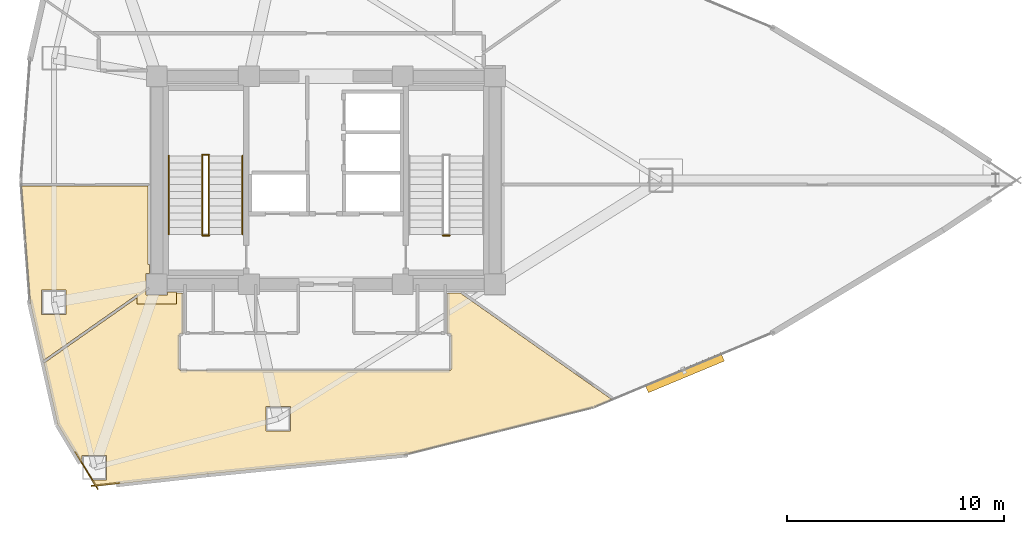
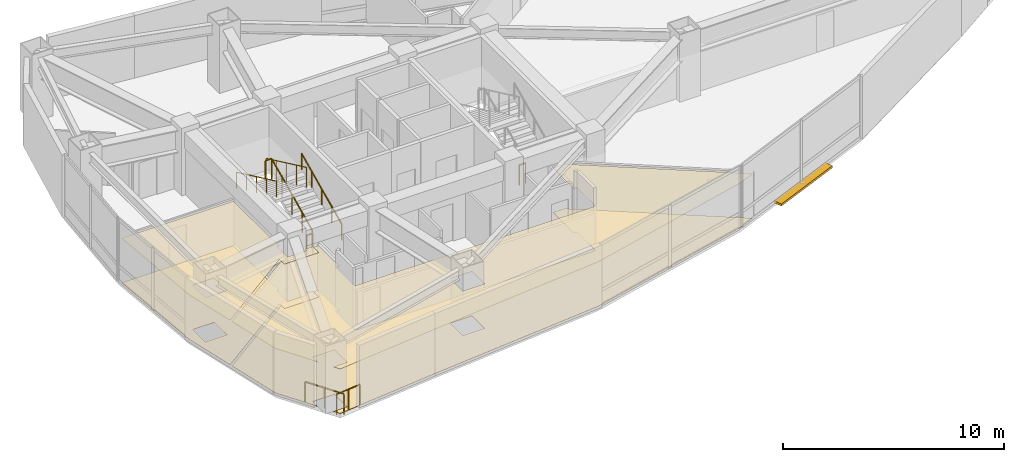
# One storey, part 16 of 18: 9 railings, 4 coverings, 1 shading device.
"""IFC4 building model written with IfcOpenShell, lengths in metres."""

from ifc_helpers import new_model, si_unit, direction, frame, origin, origin_2d, place, context, subcontext, project, spatial, polyline, rectangle, circle, outline, extrude, material, layer, layer_set, type_object, element, save


model = new_model("IFC4")

# Units and contexts
model_context = context("Model", 3, precision=1e-05, world=origin(), true_north=direction((0.0, 1.0)))
body_context = subcontext(model_context, "Body", "Model", "MODEL_VIEW")
ifc_project = project(units=[si_unit("LENGTHUNIT", "METRE"), si_unit("AREAUNIT", "SQUARE_METRE"), si_unit("VOLUMEUNIT", "CUBIC_METRE"), si_unit("PLANEANGLEUNIT", "RADIAN"), si_unit("MASSUNIT", "GRAM", prefix="KILO")], contexts=[model_context])

# Site, building, storey
site_placement = place(None, origin())
site = spatial("IfcSite", under=ifc_project, at=site_placement, CompositionType="ELEMENT")
building_placement = place(site_placement, origin())
building = spatial("IfcBuilding", under=site, at=building_placement, Name="Menara Vayukalpa", CompositionType="ELEMENT")
storey_placement = place(building_placement, frame((0.0, 0.0, 169.199951171875)))
storey = spatial("IfcBuildingStorey", under=building, at=storey_placement, Name="L42", CompositionType="ELEMENT", Elevation=169.199951171875)

# Coverings
ifc_material_1 = material(Name="Mineral Fibre Acoustic Ceiling Tile", Category="masonry")
ifc_layer_1 = layer(ifc_material_1, 0.02490234375)
ifc_layer_set_1 = layer_set([ifc_layer_1], Name="Mineral Fibre Acoustic Ceiling Tile")
covering_type_1 = type_object("IfcCoveringType", Name="COV-CLG1", PredefinedType="CEILING", material=ifc_layer_set_1)
covering_1_placement = place(storey_placement, frame((0.0, 0.0, 2.449951171875)))
element("IfcCovering", 1, at=covering_1_placement, inside=storey, type_object=covering_type_1, Name="L42 Executive Boardroom Acoustic Ceiling", PredefinedType="CEILING", context=body_context, shape_type="SweptSolid", body=[
    extrude(outline(polyline([(12.574462890625, 13.693115234375), (12.573486328125, 13.69287109375), (12.572509765625, 13.6923828125), (12.57177734375, 13.692138671875), (12.57080078125, 13.69189453125), (12.569580078125, 13.69189453125), (12.56884765625, 13.69189453125), (12.56787109375, 13.69189453125), (12.56689453125, 13.6923828125), (12.56591796875, 13.692626953125), (12.56494140625, 13.693115234375), (12.564208984375, 13.693603515625), (12.563232421875, 13.694091796875), (12.5625, 13.694580078125), (12.56201171875, 13.6953125), (12.561279296875, 13.696044921875), (12.560791015625, 13.697021484375), (12.560302734375, 13.69775390625), (12.56005859375, 13.69873046875), (12.559814453125, 13.69970703125), (11.958984375, 16.368896484375), (11.958984375, 16.37060546875), (11.556884765625, 21.729248046875), (11.556884765625, 21.730224609375), (11.55712890625, 21.731201171875), (11.55712890625, 21.732177734375), (11.5576171875, 21.733154296875), (11.557861328125, 21.73388671875), (11.558349609375, 21.73486328125), (11.558837890625, 21.735595703125), (11.559326171875, 21.736328125), (11.56005859375, 21.737060546875), (11.560791015625, 21.73779296875), (11.5615234375, 21.73828125), (11.562255859375, 21.739013671875), (11.563232421875, 21.7392578125), (11.564208984375, 21.739501953125), (11.565185546875, 21.73974609375), (11.56591796875, 21.739990234375), (11.56689453125, 21.739990234375), (17.3798828125, 21.739990234375), (17.381103515625, 21.739990234375), (17.382080078125, 21.73974609375), (17.3828125, 21.739501953125), (17.3837890625, 21.7392578125), (17.384765625, 21.73876953125), (17.385498046875, 21.73828125), (17.38623046875, 21.73779296875), (17.38720703125, 21.737060546875), (17.3876953125, 21.736328125), (17.38818359375, 21.735595703125), (17.388916015625, 21.734619140625), (17.38916015625, 21.73388671875), (17.3896484375, 21.73291015625), (17.389892578125, 21.73193359375), (17.389892578125, 21.73095703125), (17.389892578125, 21.72998046875), (17.389892578125, 18.110107421875), (17.449951171875, 18.110107421875), (17.449951171875, 17.68994140625), (17.31005859375, 17.68994140625), (17.31005859375, 16.7099609375), (18.2900390625, 16.7099609375), (18.2900390625, 16.85009765625), (18.7099609375, 16.85009765625), (18.7099609375, 16.2900390625), (16.889892578125, 16.2900390625), (16.889892578125, 16.7255859375), (12.5751953125, 13.693603515625), (12.574462890625, 13.693115234375)]), holes=[polyline([(13.614013671875, 16.93310546875), (12.484130859375, 16.93310546875), (12.484130859375, 15.80322265625), (13.614013671875, 15.80322265625), (13.614013671875, 16.93310546875)])]), origin(), (0.0, 0.0, 1.0), 0.025146484375),
])
covering_2_placement = place(storey_placement, frame((0.0, 0.0, 2.449951171875)))
element("IfcCovering", 2, at=covering_2_placement, inside=storey, type_object=covering_type_1, Name="L42 Client Conference Room Acoustic Ceiling", PredefinedType="CEILING", context=body_context, shape_type="SweptSolid", body=[
    extrude(outline(polyline([(14.958740234375, 7.872314453125), (14.957763671875, 7.872314453125), (14.956787109375, 7.87255859375), (14.955810546875, 7.872802734375), (14.955078125, 7.873291015625), (14.9541015625, 7.873779296875), (14.95361328125, 7.874267578125), (14.95263671875, 7.874755859375), (14.9521484375, 7.87548828125), (14.951416015625, 7.876220703125), (14.950927734375, 7.876953125), (14.771728515625, 8.174560546875), (15.485595703125, 8.174560546875), (15.485595703125, 9.304443359375), (14.35546875, 9.304443359375), (14.35546875, 8.864990234375), (13.226318359375, 10.738525390625), (13.225830078125, 10.739501953125), (13.2255859375, 10.740478515625), (13.22509765625, 10.74169921875), (12.593017578125, 13.552001953125), (12.5927734375, 13.552978515625), (12.5927734375, 13.553955078125), (12.5927734375, 13.554931640625), (12.5927734375, 13.555908203125), (12.593017578125, 13.556884765625), (12.593505859375, 13.557861328125), (12.59375, 13.55859375), (12.59423828125, 13.5595703125), (12.5947265625, 13.560302734375), (12.595458984375, 13.56103515625), (12.59619140625, 13.561767578125), (12.596923828125, 13.5625), (16.889892578125, 16.5791015625), (16.889892578125, 18.110107421875), (17.449951171875, 18.110107421875), (17.449951171875, 17.68994140625), (17.31005859375, 17.68994140625), (17.31005859375, 16.7099609375), (18.2900390625, 16.7099609375), (18.2900390625, 16.85009765625), (18.7099609375, 16.85009765625), (18.7099609375, 16.7900390625), (18.97998046875, 16.7900390625), (18.98095703125, 16.7900390625), (18.98193359375, 16.789794921875), (18.98291015625, 16.78955078125), (18.98388671875, 16.789306640625), (18.984619140625, 16.788818359375), (18.985595703125, 16.788330078125), (18.986328125, 16.78759765625), (18.987060546875, 16.787109375), (18.98779296875, 16.786376953125), (18.98828125, 16.78564453125), (18.98876953125, 16.78466796875), (18.9892578125, 16.78369140625), (18.989501953125, 16.782958984375), (18.98974609375, 16.781982421875), (18.989990234375, 16.781005859375), (18.989990234375, 16.780029296875), (18.989990234375, 14.929931640625), (18.989990234375, 14.928955078125), (18.98974609375, 14.927978515625), (18.989501953125, 14.927001953125), (18.9892578125, 14.92626953125), (18.98876953125, 14.92529296875), (18.98828125, 14.92431640625), (18.98779296875, 14.923583984375), (18.987060546875, 14.9228515625), (18.986328125, 14.92236328125), (18.985595703125, 14.921630859375), (18.984619140625, 14.921142578125), (18.98388671875, 14.9208984375), (18.98291015625, 14.92041015625), (18.98193359375, 14.920166015625), (18.98095703125, 14.919921875), (18.97998046875, 14.919921875), (18.900390625, 14.919921875), (18.893310546875, 14.919677734375), (18.88623046875, 14.918701171875), (18.879638671875, 14.9169921875), (18.873291015625, 14.914794921875), (18.866943359375, 14.911865234375), (18.861083984375, 14.908203125), (18.85546875, 14.904052734375), (18.8505859375, 14.8994140625), (18.845947265625, 14.89453125), (18.841796875, 14.888916015625), (18.838134765625, 14.883056640625), (18.835205078125, 14.876708984375), (18.8330078125, 14.870361328125), (18.831298828125, 14.86376953125), (18.830322265625, 14.856689453125), (18.830078125, 14.849609375), (18.830078125, 13.290283203125), (18.830322265625, 13.283203125), (18.831298828125, 13.2763671875), (18.8330078125, 13.269775390625), (18.835205078125, 13.26318359375), (18.838134765625, 13.257080078125), (18.841796875, 13.251220703125), (18.845947265625, 13.24560546875), (18.8505859375, 13.240478515625), (18.85546875, 13.236083984375), (18.861083984375, 13.231689453125), (18.866943359375, 13.228271484375), (18.873291015625, 13.225341796875), (18.879638671875, 13.222900390625), (18.88623046875, 13.22119140625), (18.893310546875, 13.220458984375), (18.900390625, 13.219970703125), (31.2998046875, 13.219970703125), (31.306884765625, 13.220458984375), (31.313720703125, 13.22119140625), (31.3203125, 13.222900390625), (31.326904296875, 13.225341796875), (31.3330078125, 13.228271484375), (31.3388671875, 13.231689453125), (31.344482421875, 13.236083984375), (31.349609375, 13.240478515625), (31.35400390625, 13.24560546875), (31.358154296875, 13.251220703125), (31.36181640625, 13.257080078125), (31.36474609375, 13.26318359375), (31.366943359375, 13.269775390625), (31.36865234375, 13.2763671875), (31.36962890625, 13.283203125), (31.3701171875, 13.290283203125), (31.3701171875, 14.849609375), (31.36962890625, 14.856689453125), (31.36865234375, 14.86376953125), (31.366943359375, 14.870361328125), (31.36474609375, 14.876708984375), (31.36181640625, 14.883056640625), (31.358154296875, 14.888916015625), (31.35400390625, 14.89453125), (31.349609375, 14.8994140625), (31.344482421875, 14.904052734375), (31.3388671875, 14.908203125), (31.3330078125, 14.911865234375), (31.326904296875, 14.914794921875), (31.3203125, 14.9169921875), (31.313720703125, 14.918701171875), (31.306884765625, 14.919677734375), (31.2998046875, 14.919921875), (31.219970703125, 14.919921875), (31.218994140625, 14.919921875), (31.218017578125, 14.920166015625), (31.217041015625, 14.92041015625), (31.21630859375, 14.9208984375), (31.21533203125, 14.921142578125), (31.21435546875, 14.921630859375), (31.213623046875, 14.92236328125), (31.212890625, 14.9228515625), (31.21240234375, 14.923583984375), (31.211669921875, 14.92431640625), (31.211181640625, 14.92529296875), (31.210693359375, 14.92626953125), (31.21044921875, 14.927001953125), (31.210205078125, 14.927978515625), (31.2099609375, 14.928955078125), (31.2099609375, 14.929931640625), (31.2099609375, 16.780029296875), (31.2099609375, 16.781005859375), (31.210205078125, 16.781982421875), (31.21044921875, 16.782958984375), (31.210693359375, 16.78369140625), (31.211181640625, 16.78466796875), (31.211669921875, 16.78564453125), (31.21240234375, 16.786376953125), (31.212890625, 16.787109375), (31.213623046875, 16.78759765625), (31.21435546875, 16.788330078125), (31.21533203125, 16.788818359375), (31.21630859375, 16.789306640625), (31.217041015625, 16.78955078125), (31.218017578125, 16.789794921875), (31.218994140625, 16.7900390625), (31.219970703125, 16.7900390625), (31.808349609375, 16.7900390625), (31.809326171875, 16.7900390625), (31.810302734375, 16.789794921875), (31.811279296875, 16.78955078125), (31.812255859375, 16.789306640625), (31.81298828125, 16.788818359375), (31.81396484375, 16.788330078125), (31.814697265625, 16.787841796875), (31.8154296875, 16.787109375), (31.818115234375, 16.784423828125), (31.822998046875, 16.78076171875), (38.780517578125, 11.8916015625), (38.781494140625, 11.89111328125), (38.781982421875, 11.890380859375), (38.78271484375, 11.8896484375), (38.783203125, 11.888916015625), (38.78369140625, 11.887939453125), (38.7841796875, 11.88720703125), (38.784423828125, 11.88623046875), (38.78466796875, 11.88525390625), (38.784912109375, 11.88427734375), (38.784912109375, 11.88330078125), (38.784912109375, 11.88232421875), (38.78466796875, 11.88134765625), (38.784423828125, 11.88037109375), (38.7841796875, 11.87939453125), (38.78369140625, 11.878662109375), (38.783203125, 11.877685546875), (38.78271484375, 11.876953125), (38.781982421875, 11.876220703125), (38.78125, 11.875732421875), (38.780517578125, 11.875), (38.779541015625, 11.87451171875), (38.77880859375, 11.874267578125), (37.959228515625, 11.5322265625), (37.95849609375, 11.531982421875), (37.957763671875, 11.53173828125), (29.2646484375, 9.35302734375), (29.26318359375, 9.352783203125), (20.146484375, 8.44580078125), (20.14599609375, 8.44580078125), (14.960693359375, 7.872314453125), (14.959716796875, 7.872314453125), (14.958740234375, 7.872314453125)]), holes=[polyline([(23.9619140625, 11.552978515625), (22.831787109375, 11.552978515625), (22.831787109375, 10.423095703125), (23.9619140625, 10.423095703125), (23.9619140625, 11.552978515625)])]), origin(), (0.0, 0.0, 1.0), 0.025146484375),
])
ifc_material_2 = material(Name="Porcelain Stoneware Floor Tile", Category="masonry")
ifc_layer_2 = layer(ifc_material_2, 0.02001953125)
ifc_layer_set_2 = layer_set([ifc_layer_2], Name="Porcelain Stoneware Floor Tile")
covering_type_2 = type_object("IfcCoveringType", Name="COV-FLR1", PredefinedType="FLOORING", material=ifc_layer_set_2)
covering_3_placement = place(storey_placement, origin())
element("IfcCovering", 3, at=covering_3_placement, inside=storey, type_object=covering_type_2, Name="L42 Executive Boardroom Porcelain Flooring", PredefinedType="FLOORING", context=body_context, shape_type="SweptSolid", body=[
    extrude(outline(polyline([(12.574462890625, 13.693115234375), (12.573486328125, 13.69287109375), (12.572509765625, 13.6923828125), (12.57177734375, 13.692138671875), (12.57080078125, 13.69189453125), (12.569580078125, 13.69189453125), (12.56884765625, 13.69189453125), (12.56787109375, 13.69189453125), (12.56689453125, 13.6923828125), (12.56591796875, 13.692626953125), (12.56494140625, 13.693115234375), (12.564208984375, 13.693603515625), (12.563232421875, 13.694091796875), (12.5625, 13.694580078125), (12.56201171875, 13.6953125), (12.561279296875, 13.696044921875), (12.560791015625, 13.697021484375), (12.560302734375, 13.69775390625), (12.56005859375, 13.69873046875), (12.559814453125, 13.69970703125), (11.958984375, 16.368896484375), (11.958984375, 16.37060546875), (11.556884765625, 21.729248046875), (11.556884765625, 21.730224609375), (11.55712890625, 21.731201171875), (11.55712890625, 21.732177734375), (11.5576171875, 21.733154296875), (11.557861328125, 21.73388671875), (11.558349609375, 21.73486328125), (11.558837890625, 21.735595703125), (11.559326171875, 21.736328125), (11.56005859375, 21.737060546875), (11.560791015625, 21.73779296875), (11.5615234375, 21.73828125), (11.562255859375, 21.739013671875), (11.563232421875, 21.7392578125), (11.564208984375, 21.739501953125), (11.565185546875, 21.73974609375), (11.56591796875, 21.739990234375), (11.56689453125, 21.739990234375), (17.3798828125, 21.739990234375), (17.381103515625, 21.739990234375), (17.382080078125, 21.73974609375), (17.3828125, 21.739501953125), (17.3837890625, 21.7392578125), (17.384765625, 21.73876953125), (17.385498046875, 21.73828125), (17.38623046875, 21.73779296875), (17.38720703125, 21.737060546875), (17.3876953125, 21.736328125), (17.38818359375, 21.735595703125), (17.388916015625, 21.734619140625), (17.38916015625, 21.73388671875), (17.3896484375, 21.73291015625), (17.389892578125, 21.73193359375), (17.389892578125, 21.73095703125), (17.389892578125, 21.72998046875), (17.389892578125, 18.110107421875), (17.449951171875, 18.110107421875), (17.449951171875, 17.68994140625), (17.31005859375, 17.68994140625), (17.31005859375, 16.7099609375), (18.2900390625, 16.7099609375), (18.2900390625, 16.85009765625), (18.7099609375, 16.85009765625), (18.7099609375, 16.2900390625), (16.889892578125, 16.2900390625), (16.889892578125, 16.7255859375), (12.5751953125, 13.693603515625), (12.574462890625, 13.693115234375)]), holes=[polyline([(13.614013671875, 16.93310546875), (12.484130859375, 16.93310546875), (12.484130859375, 15.80322265625), (13.614013671875, 15.80322265625), (13.614013671875, 16.93310546875)])]), origin(), (0.0, 0.0, 1.0), 0.02001953125),
])
covering_4_placement = place(storey_placement, origin())
element("IfcCovering", 4, at=covering_4_placement, inside=storey, type_object=covering_type_2, Name="L42 Client Conference Room Porcelain Flooring", PredefinedType="FLOORING", context=body_context, shape_type="SweptSolid", body=[
    extrude(outline(polyline([(14.958740234375, 7.872314453125), (14.957763671875, 7.872314453125), (14.956787109375, 7.87255859375), (14.955810546875, 7.872802734375), (14.955078125, 7.873291015625), (14.9541015625, 7.873779296875), (14.95361328125, 7.874267578125), (14.95263671875, 7.874755859375), (14.9521484375, 7.87548828125), (14.951416015625, 7.876220703125), (14.950927734375, 7.876953125), (14.771728515625, 8.174560546875), (15.485595703125, 8.174560546875), (15.485595703125, 9.304443359375), (14.35546875, 9.304443359375), (14.35546875, 8.864990234375), (13.226318359375, 10.738525390625), (13.225830078125, 10.739501953125), (13.2255859375, 10.740478515625), (13.22509765625, 10.74169921875), (12.593017578125, 13.552001953125), (12.5927734375, 13.552978515625), (12.5927734375, 13.553955078125), (12.5927734375, 13.554931640625), (12.5927734375, 13.555908203125), (12.593017578125, 13.556884765625), (12.593505859375, 13.557861328125), (12.59375, 13.55859375), (12.59423828125, 13.5595703125), (12.5947265625, 13.560302734375), (12.595458984375, 13.56103515625), (12.59619140625, 13.561767578125), (12.596923828125, 13.5625), (16.889892578125, 16.5791015625), (16.889892578125, 18.110107421875), (17.449951171875, 18.110107421875), (17.449951171875, 17.68994140625), (17.31005859375, 17.68994140625), (17.31005859375, 16.7099609375), (18.2900390625, 16.7099609375), (18.2900390625, 16.85009765625), (18.7099609375, 16.85009765625), (18.7099609375, 16.7900390625), (18.97998046875, 16.7900390625), (18.98095703125, 16.7900390625), (18.98193359375, 16.789794921875), (18.98291015625, 16.78955078125), (18.98388671875, 16.789306640625), (18.984619140625, 16.788818359375), (18.985595703125, 16.788330078125), (18.986328125, 16.78759765625), (18.987060546875, 16.787109375), (18.98779296875, 16.786376953125), (18.98828125, 16.78564453125), (18.98876953125, 16.78466796875), (18.9892578125, 16.78369140625), (18.989501953125, 16.782958984375), (18.98974609375, 16.781982421875), (18.989990234375, 16.781005859375), (18.989990234375, 16.780029296875), (18.989990234375, 14.929931640625), (18.989990234375, 14.928955078125), (18.98974609375, 14.927978515625), (18.989501953125, 14.927001953125), (18.9892578125, 14.92626953125), (18.98876953125, 14.92529296875), (18.98828125, 14.92431640625), (18.98779296875, 14.923583984375), (18.987060546875, 14.9228515625), (18.986328125, 14.92236328125), (18.985595703125, 14.921630859375), (18.984619140625, 14.921142578125), (18.98388671875, 14.9208984375), (18.98291015625, 14.92041015625), (18.98193359375, 14.920166015625), (18.98095703125, 14.919921875), (18.97998046875, 14.919921875), (18.900390625, 14.919921875), (18.893310546875, 14.919677734375), (18.88623046875, 14.918701171875), (18.879638671875, 14.9169921875), (18.873291015625, 14.914794921875), (18.866943359375, 14.911865234375), (18.861083984375, 14.908203125), (18.85546875, 14.904052734375), (18.8505859375, 14.8994140625), (18.845947265625, 14.89453125), (18.841796875, 14.888916015625), (18.838134765625, 14.883056640625), (18.835205078125, 14.876708984375), (18.8330078125, 14.870361328125), (18.831298828125, 14.86376953125), (18.830322265625, 14.856689453125), (18.830078125, 14.849609375), (18.830078125, 13.290283203125), (18.830322265625, 13.283203125), (18.831298828125, 13.2763671875), (18.8330078125, 13.269775390625), (18.835205078125, 13.26318359375), (18.838134765625, 13.257080078125), (18.841796875, 13.251220703125), (18.845947265625, 13.24560546875), (18.8505859375, 13.240478515625), (18.85546875, 13.236083984375), (18.861083984375, 13.231689453125), (18.866943359375, 13.228271484375), (18.873291015625, 13.225341796875), (18.879638671875, 13.222900390625), (18.88623046875, 13.22119140625), (18.893310546875, 13.220458984375), (18.900390625, 13.219970703125), (31.2998046875, 13.219970703125), (31.306884765625, 13.220458984375), (31.313720703125, 13.22119140625), (31.3203125, 13.222900390625), (31.326904296875, 13.225341796875), (31.3330078125, 13.228271484375), (31.3388671875, 13.231689453125), (31.344482421875, 13.236083984375), (31.349609375, 13.240478515625), (31.35400390625, 13.24560546875), (31.358154296875, 13.251220703125), (31.36181640625, 13.257080078125), (31.36474609375, 13.26318359375), (31.366943359375, 13.269775390625), (31.36865234375, 13.2763671875), (31.36962890625, 13.283203125), (31.3701171875, 13.290283203125), (31.3701171875, 14.849609375), (31.36962890625, 14.856689453125), (31.36865234375, 14.86376953125), (31.366943359375, 14.870361328125), (31.36474609375, 14.876708984375), (31.36181640625, 14.883056640625), (31.358154296875, 14.888916015625), (31.35400390625, 14.89453125), (31.349609375, 14.8994140625), (31.344482421875, 14.904052734375), (31.3388671875, 14.908203125), (31.3330078125, 14.911865234375), (31.326904296875, 14.914794921875), (31.3203125, 14.9169921875), (31.313720703125, 14.918701171875), (31.306884765625, 14.919677734375), (31.2998046875, 14.919921875), (31.219970703125, 14.919921875), (31.218994140625, 14.919921875), (31.218017578125, 14.920166015625), (31.217041015625, 14.92041015625), (31.21630859375, 14.9208984375), (31.21533203125, 14.921142578125), (31.21435546875, 14.921630859375), (31.213623046875, 14.92236328125), (31.212890625, 14.9228515625), (31.21240234375, 14.923583984375), (31.211669921875, 14.92431640625), (31.211181640625, 14.92529296875), (31.210693359375, 14.92626953125), (31.21044921875, 14.927001953125), (31.210205078125, 14.927978515625), (31.2099609375, 14.928955078125), (31.2099609375, 14.929931640625), (31.2099609375, 16.780029296875), (31.2099609375, 16.781005859375), (31.210205078125, 16.781982421875), (31.21044921875, 16.782958984375), (31.210693359375, 16.78369140625), (31.211181640625, 16.78466796875), (31.211669921875, 16.78564453125), (31.21240234375, 16.786376953125), (31.212890625, 16.787109375), (31.213623046875, 16.78759765625), (31.21435546875, 16.788330078125), (31.21533203125, 16.788818359375), (31.21630859375, 16.789306640625), (31.217041015625, 16.78955078125), (31.218017578125, 16.789794921875), (31.218994140625, 16.7900390625), (31.219970703125, 16.7900390625), (31.808349609375, 16.7900390625), (31.809326171875, 16.7900390625), (31.810302734375, 16.789794921875), (31.811279296875, 16.78955078125), (31.812255859375, 16.789306640625), (31.81298828125, 16.788818359375), (31.81396484375, 16.788330078125), (31.814697265625, 16.787841796875), (31.8154296875, 16.787109375), (31.818115234375, 16.784423828125), (31.822998046875, 16.78076171875), (38.780517578125, 11.8916015625), (38.781494140625, 11.89111328125), (38.781982421875, 11.890380859375), (38.78271484375, 11.8896484375), (38.783203125, 11.888916015625), (38.78369140625, 11.887939453125), (38.7841796875, 11.88720703125), (38.784423828125, 11.88623046875), (38.78466796875, 11.88525390625), (38.784912109375, 11.88427734375), (38.784912109375, 11.88330078125), (38.784912109375, 11.88232421875), (38.78466796875, 11.88134765625), (38.784423828125, 11.88037109375), (38.7841796875, 11.87939453125), (38.78369140625, 11.878662109375), (38.783203125, 11.877685546875), (38.78271484375, 11.876953125), (38.781982421875, 11.876220703125), (38.78125, 11.875732421875), (38.780517578125, 11.875), (38.779541015625, 11.87451171875), (38.77880859375, 11.874267578125), (37.959228515625, 11.5322265625), (37.95849609375, 11.531982421875), (37.957763671875, 11.53173828125), (29.2646484375, 9.35302734375), (29.26318359375, 9.352783203125), (20.146484375, 8.44580078125), (20.14599609375, 8.44580078125), (14.960693359375, 7.872314453125), (14.959716796875, 7.872314453125), (14.958740234375, 7.872314453125)]), holes=[polyline([(23.9619140625, 11.552978515625), (22.831787109375, 11.552978515625), (22.831787109375, 10.423095703125), (23.9619140625, 10.423095703125), (23.9619140625, 11.552978515625)])]), origin(), (0.0, 0.0, 1.0), 0.02001953125),
])

# Railings
ifc_material_3 = material(Name="Laminated Glass and Stainless Steel 316 Guardrail", Category="steel")
railing_type_1 = type_object("IfcRailingType", Name="RLG-EXT115", PredefinedType="GUARDRAIL", material=ifc_material_3)
railing_1_placement = place(storey_placement, frame((14.04345703125, 9.460205078125, 0.0)))
element("IfcRailing", 5, at=railing_1_placement, inside=storey, type_object=railing_type_1, Name="L42 Column Corner Spandrel Guardrail 13-1", PredefinedType="GUARDRAIL", context=body_context, shape_type="SweptSolid", body=[
    extrude(circle(Radius=0.02392578125, at=origin_2d()), frame((0.0, 0.0, 1.1259765625), z_axis=(0.516238473258, -0.856444883649, 0.0), x_axis=(0.856444883649, 0.516238473258, 0.0)), (0.0, 0.0, 1.0), 1.9970703125),
    extrude(circle(Radius=0.02099609375, at=origin_2d()), origin(), (0.0, 0.0, 1.0), 1.101806640625),
    extrude(circle(Radius=0.02099609375, at=origin_2d()), frame((0.515625, -0.855224609375, 0.0)), (0.0, 0.0, 1.0), 1.101806640625),
    extrude(circle(Radius=0.02099609375, at=origin_2d()), frame((1.031005859375, -1.71044921875, 0.0)), (0.0, 0.0, 1.0), 1.101806640625),
])
railing_2_placement = place(storey_placement, frame((14.784423828125, 7.89306640625, 0.0)))
element("IfcRailing", 6, at=railing_2_placement, inside=storey, type_object=railing_type_1, Name="L42 Column Corner Spandrel Guardrail 14-1", PredefinedType="GUARDRAIL", context=body_context, shape_type="SweptSolid", body=[
    extrude(circle(Radius=0.02392578125, at=origin_2d()), frame((0.0, 0.0, 1.1259765625), z_axis=(0.99393179446, 0.109998127083, 0.0), x_axis=(-0.109998127083, 0.99393179446, 0.0)), (0.0, 0.0, 1.0), 1.29833984375),
    extrude(circle(Radius=0.02099609375, at=origin_2d()), origin(), (0.0, 0.0, 1.0), 1.101806640625),
    extrude(circle(Radius=0.02099609375, at=origin_2d()), frame((0.645263671875, 0.0712890625, 0.0)), (0.0, 0.0, 1.0), 1.101806640625),
    extrude(circle(Radius=0.02099609375, at=origin_2d()), frame((1.29052734375, 0.142822265625, 0.0)), (0.0, 0.0, 1.0), 1.101806640625),
])
ifc_material_4 = material(Name="Powder-Coated Galvanised Steel Guardrail", Category="steel")
railing_type_2 = type_object("IfcRailingType", Name="RLG-STG110", PredefinedType="GUARDRAIL", material=ifc_material_4)
railing_3_placement = place(storey_placement, frame((20.199951171875, 19.5, 0.155029296875)))
element("IfcRailing", 7, at=railing_3_placement, inside=storey, type_object=railing_type_2, Name="L42 ST-1 stair guard 1", PredefinedType="GUARDRAIL", context=body_context, shape_type="SweptSolid", body=[
    extrude(circle(Radius=0.02392578125, at=origin_2d()), frame((0.0, 0.0, 1.09619140625), z_axis=(0.0, 0.90511648382, 0.425163675209), x_axis=(-1.0, 0.0, 0.0)), (0.0, 0.0, 1.0), 4.010498046875),
    extrude(circle(Radius=0.02099609375, at=origin_2d()), origin(), (0.0, 0.0, 1.0), 1.072021484375),
    extrude(circle(Radius=0.02099609375, at=origin_2d()), frame((0.0, 0.907470703125, 0.42626953125)), (0.0, 0.0, 1.0), 1.072021484375),
    extrude(circle(Radius=0.02099609375, at=origin_2d()), frame((0.0, 1.81494140625, 0.8525390625)), (0.0, 0.0, 1.0), 1.072021484375),
    extrude(circle(Radius=0.02099609375, at=origin_2d()), frame((0.0, 2.722412109375, 1.27880859375)), (0.0, 0.0, 1.0), 1.072021484375),
    extrude(circle(Radius=0.02099609375, at=origin_2d()), frame((0.0, 3.6298828125, 1.705078125)), (0.0, 0.0, 1.0), 1.072021484375),
])
railing_4_placement = place(storey_placement, frame((20.2099609375, 23.179931640625, 1.860107421875)))
element("IfcRailing", 8, at=railing_4_placement, inside=storey, type_object=railing_type_2, Name="L42 ST-1 stair guard 2", PredefinedType="GUARDRAIL", context=body_context, shape_type="SweptSolid", body=[
    extrude(circle(Radius=0.02392578125, at=origin_2d()), frame((0.0, 0.0, 1.09619140625), z_axis=(-1.0, 0.0, 0.0), x_axis=(0.0, -1.0, 0.0)), (0.0, 0.0, 1.0), 0.320068359375),
    extrude(circle(Radius=0.02099609375, at=origin_2d()), origin(), (0.0, 0.0, 1.0), 1.072021484375),
    extrude(circle(Radius=0.02099609375, at=origin_2d()), frame((-0.320068359375, 0.0, 0.0)), (0.0, 0.0, 1.0), 1.072021484375),
])
railing_5_placement = place(storey_placement, frame((19.89990234375, 23.1298828125, 2.01513671875)))
element("IfcRailing", 9, at=railing_5_placement, inside=storey, type_object=railing_type_2, Name="L42 ST-1 stair guard 3", PredefinedType="GUARDRAIL", context=body_context, shape_type="SweptSolid", body=[
    extrude(circle(Radius=0.02392578125, at=origin_2d()), frame((0.0, 0.0, 1.09619140625), z_axis=(0.0, -0.90513990983, 0.425113800803), x_axis=(1.0, 0.0, 0.0)), (0.0, 0.0, 1.0), 4.01025390625),
    extrude(circle(Radius=0.02099609375, at=origin_2d()), origin(), (0.0, 0.0, 1.0), 1.072021484375),
    extrude(circle(Radius=0.02099609375, at=origin_2d()), frame((0.0, -0.907470703125, 0.42626953125)), (0.0, 0.0, 1.0), 1.072021484375),
    extrude(circle(Radius=0.02099609375, at=origin_2d()), frame((0.0, -1.81494140625, 0.8525390625)), (0.0, 0.0, 1.0), 1.072021484375),
    extrude(circle(Radius=0.02099609375, at=origin_2d()), frame((0.0, -2.722412109375, 1.278564453125)), (0.0, 0.0, 1.0), 1.072021484375),
    extrude(circle(Radius=0.02099609375, at=origin_2d()), frame((0.0, -3.6298828125, 1.704833984375)), (0.0, 0.0, 1.0), 1.072021484375),
])
for number, where, name in (
    (10, (20.2099609375, 19.449951171875, 0.0), "L42 ST-1 stair guard 4"),
    (11, (31.31005859375, 19.449951171875, 0.0), "L42 ST-2 stair guard 4"),
):
    element("IfcRailing", number, at=place(storey_placement, frame(where)), inside=storey, type_object=railing_type_2, Name=name, PredefinedType="GUARDRAIL", context=body_context, shape_type="SweptSolid", body=[
        extrude(circle(Radius=0.02392578125, at=origin_2d()), frame((0.0, 0.0, 1.09619140625), z_axis=(-1.0, 0.0, 0.0), x_axis=(0.0, -1.0, 0.0)), (0.0, 0.0, 1.0), 0.320068359375),
        extrude(circle(Radius=0.02099609375, at=origin_2d()), origin(), (0.0, 0.0, 1.0), 1.072021484375),
        extrude(circle(Radius=0.02099609375, at=origin_2d()), frame((-0.320068359375, 0.0, 0.0)), (0.0, 0.0, 1.0), 1.072021484375),
    ])
ifc_material_5 = material(Name="Stainless Steel 316 Tubular Handrail", Category="steel")
railing_type_3 = type_object("IfcRailingType", Name="RLG-STH090", PredefinedType="HANDRAIL", material=ifc_material_5)
railing_6_placement = place(storey_placement, frame((21.75, 19.5, 0.155029296875)))
element("IfcRailing", 12, at=railing_6_placement, inside=storey, type_object=railing_type_3, Name="L42 ST-1 stair handrail 1", PredefinedType="HANDRAIL", context=body_context, shape_type="SweptSolid", body=[
    extrude(circle(Radius=0.02392578125, at=origin_2d()), frame((0.0, 0.0, 0.8759765625), z_axis=(0.0, 0.90511648382, 0.425163675209), x_axis=(-1.0, 0.0, 0.0)), (0.0, 0.0, 1.0), 4.010498046875),
    extrude(circle(Radius=0.02099609375, at=origin_2d()), origin(), (0.0, 0.0, 1.0), 0.851806640625),
    extrude(circle(Radius=0.02099609375, at=origin_2d()), frame((0.0, 0.907470703125, 0.42626953125)), (0.0, 0.0, 1.0), 0.851806640625),
    extrude(circle(Radius=0.02099609375, at=origin_2d()), frame((0.0, 1.81494140625, 0.8525390625)), (0.0, 0.0, 1.0), 0.851806640625),
    extrude(circle(Radius=0.02099609375, at=origin_2d()), frame((0.0, 2.722412109375, 1.27880859375)), (0.0, 0.0, 1.0), 0.851806640625),
    extrude(circle(Radius=0.02099609375, at=origin_2d()), frame((0.0, 3.6298828125, 1.705078125)), (0.0, 0.0, 1.0), 0.851806640625),
])
railing_7_placement = place(storey_placement, frame((18.35009765625, 23.1298828125, 2.01513671875)))
element("IfcRailing", 13, at=railing_7_placement, inside=storey, type_object=railing_type_3, Name="L42 ST-1 stair handrail 2", PredefinedType="HANDRAIL", context=body_context, shape_type="SweptSolid", body=[
    extrude(circle(Radius=0.02392578125, at=origin_2d()), frame((0.0, 0.0, 0.8759765625), z_axis=(0.0, -0.90513990983, 0.425113800803), x_axis=(1.0, 0.0, 0.0)), (0.0, 0.0, 1.0), 4.01025390625),
    extrude(circle(Radius=0.02099609375, at=origin_2d()), origin(), (0.0, 0.0, 1.0), 0.851806640625),
    extrude(circle(Radius=0.02099609375, at=origin_2d()), frame((0.0, -0.907470703125, 0.42626953125)), (0.0, 0.0, 1.0), 0.851806640625),
    extrude(circle(Radius=0.02099609375, at=origin_2d()), frame((0.0, -1.81494140625, 0.8525390625)), (0.0, 0.0, 1.0), 0.851806640625),
    extrude(circle(Radius=0.02099609375, at=origin_2d()), frame((0.0, -2.722412109375, 1.278564453125)), (0.0, 0.0, 1.0), 0.851806640625),
    extrude(circle(Radius=0.02099609375, at=origin_2d()), frame((0.0, -3.6298828125, 1.704833984375)), (0.0, 0.0, 1.0), 0.851806640625),
])

# Shading device
ifc_material_6 = material(Name="Glazed Terracotta Ceramic Baguette Extrusion", Category="masonry")
ifc_layer_3 = layer(ifc_material_6, 0.1201171875)
ifc_layer_set_3 = layer_set([ifc_layer_3], Name="Glazed Terracotta Ceramic Baguette Extrusion")
shading_device_type = type_object("IfcShadingDeviceType", Name="SHD-SS1", PredefinedType="USERDEFINED", material=ifc_layer_set_3)
shading_device_placement = place(storey_placement, frame((42.15234375, 13.119384765625, -0.10009765625), z_axis=(0.0, 0.0, 1.0), x_axis=(0.922881225826, 0.38508472187, 0.0)))
element("IfcShadingDevice", 14, at=shading_device_placement, inside=storey, type_object=shading_device_type, Name="L42 Horizontal Terracotta Sunshade Band 17", ObjectType="SUNSHADE", PredefinedType="USERDEFINED", context=body_context, shape_type="SweptSolid", body=[
    extrude(rectangle(XDim=3.800048828125, YDim=0.419921875, at=origin_2d()), origin(), (0.0, 0.0, 1.0), 0.1201171875),
])

save(model, "model.ifc")
